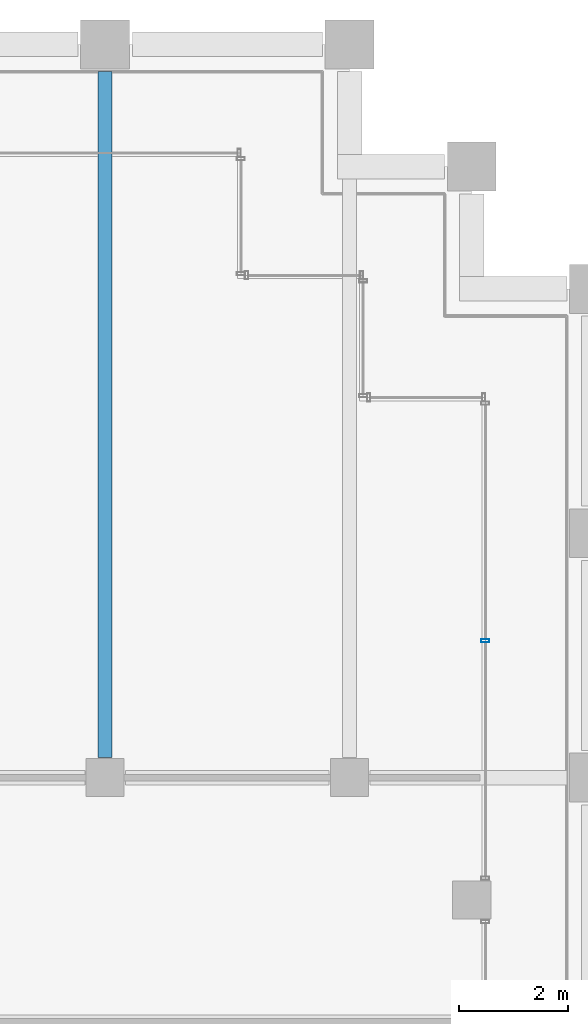
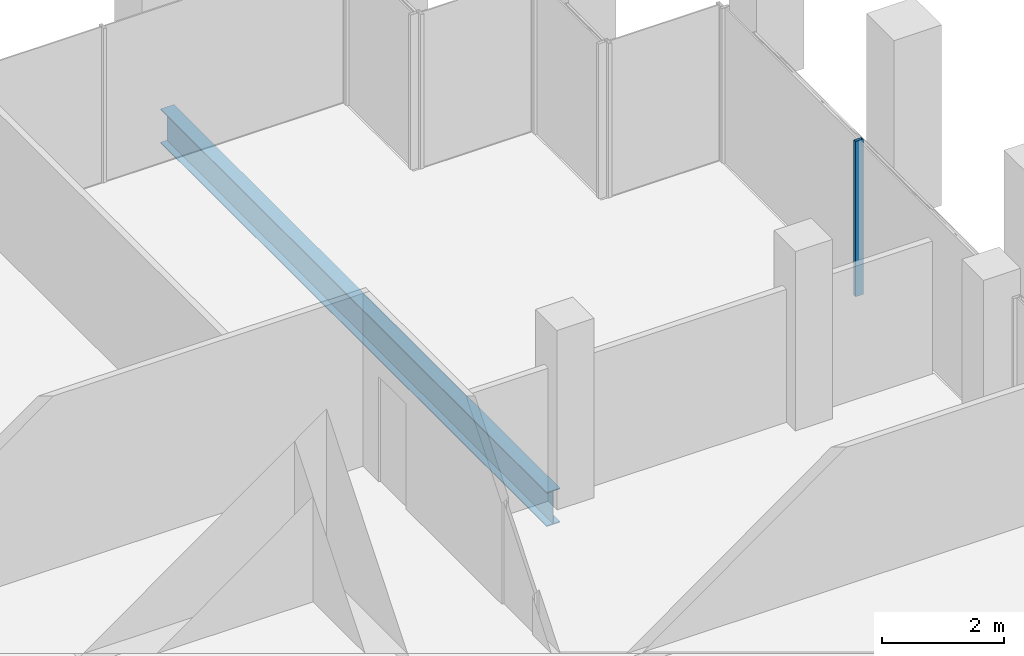
# One storey, part 24 of 44: 1 beam, 1 member, 1 element without a shape of its own.
"""IFC4 building model written with IfcOpenShell, lengths in metres."""

from ifc_helpers import new_model, si_unit, direction, frame, origin, origin_2d, place, context, subcontext, project, spatial, hollow_rectangle, i_section, extrude, material, material_profile, profile_set, type_object, element, aggregate, save


model = new_model("IFC4")

# Units and contexts
model_context = context("Model", 3, precision=1e-05, world=origin(), true_north=direction((0.0, 1.0)))
body_context = subcontext(model_context, "Body", "Model", "MODEL_VIEW")
ifc_project = project(units=[si_unit("LENGTHUNIT", "METRE"), si_unit("AREAUNIT", "SQUARE_METRE"), si_unit("VOLUMEUNIT", "CUBIC_METRE"), si_unit("PLANEANGLEUNIT", "RADIAN"), si_unit("MASSUNIT", "GRAM", prefix="KILO")], contexts=[model_context])

# Site, building, storey
site_placement = place(None, origin())
site = spatial("IfcSite", under=ifc_project, at=site_placement, CompositionType="ELEMENT")
building_placement = place(site_placement, origin())
building = spatial("IfcBuilding", under=site, at=building_placement, Name="Altepetl Exchange Towers", CompositionType="ELEMENT")
storey_placement = place(building_placement, frame((0.0, 0.0, 143.800048828125)))
storey = spatial("IfcBuildingStorey", under=building, at=storey_placement, Name="L35", CompositionType="ELEMENT", Elevation=143.800048828125)

# Beam
ifc_material_1 = material(Name="Steel S355", Category="steel")
ifc_material_profile_1 = material_profile(ifc_material_1, i_section(OverallWidth=0.25390625, OverallDepth=0.68408203125, WebThickness=0.012451171875, FlangeThickness=0.018798828125, at=origin_2d()), Name="W27X94")
ifc_profile_set_1 = profile_set([ifc_material_profile_1], Name="Steel S355")
beam_type = type_object("IfcBeamType", Name="Floor beam W27X94", PredefinedType="BEAM", material=ifc_profile_set_1)
beam_placement = place(storey_placement, frame((63.0, 58.875, -0.491943359375), z_axis=(0.0, 1.0, 0.0), x_axis=(-1.0, 0.0, 0.0)))
element("IfcBeam", 1, at=beam_placement, inside=storey, type_object=beam_type, Name="bm:A:L35:004", PredefinedType="BEAM", context=body_context, shape_type="SweptSolid", body=[
    extrude(i_section(OverallWidth=0.25390625, OverallDepth=0.68408203125, WebThickness=0.012451171875, FlangeThickness=0.018798828125, at=origin_2d()), origin(), (0.0, 0.0, 1.0), 12.625),
])

# Curtain wall, member
ifc_material_2 = material(Name="Aluminium 6063-T6 glazing", Category="aluminium")
curtain_wall_type = type_object("IfcCurtainWallType", Name="Loggia glazing system", PredefinedType="NOTDEFINED", material=ifc_material_2)
curtain_wall_placement = place(storey_placement, origin())
curtain_wall = element("IfcCurtainWall", 2, at=curtain_wall_placement, inside=storey, type_object=curtain_wall_type, Name="CW1 run", PredefinedType="NOTDEFINED")
ifc_material_3 = material(Name="Aluminium 6063-T6", Category="aluminium")
ifc_material_profile_2 = material_profile(ifc_material_3, hollow_rectangle(XDim=0.06005859375, YDim=0.14990234375, WallThickness=0.0029296875, at=origin_2d()), Name="Mullion 60x150 aluminium")
ifc_profile_set_2 = profile_set([ifc_material_profile_2], Name="Aluminium 6063-T6")
member_type = type_object("IfcMemberType", Name="Mullion 60x150 aluminium", PredefinedType="MULLION", material=ifc_profile_set_2)
member_placement = place(storey_placement, frame((70.0, 61.0224609375, 0.0), z_axis=(0.0, 0.0, 1.0), x_axis=(0.0, 1.0, 0.0)))
member = element("IfcMember", 3, at=member_placement, type_object=member_type, Name="MU1 mullion", PredefinedType="MULLION", context=body_context, shape_type="SweptSolid", body=[
    extrude(hollow_rectangle(XDim=0.06005859375, YDim=0.14990234375, WallThickness=0.0029296875, at=origin_2d()), origin(), (0.0, 0.0, 1.0), 3.099853515625),
])
aggregate(curtain_wall, [member])

save(model, "model.ifc")
